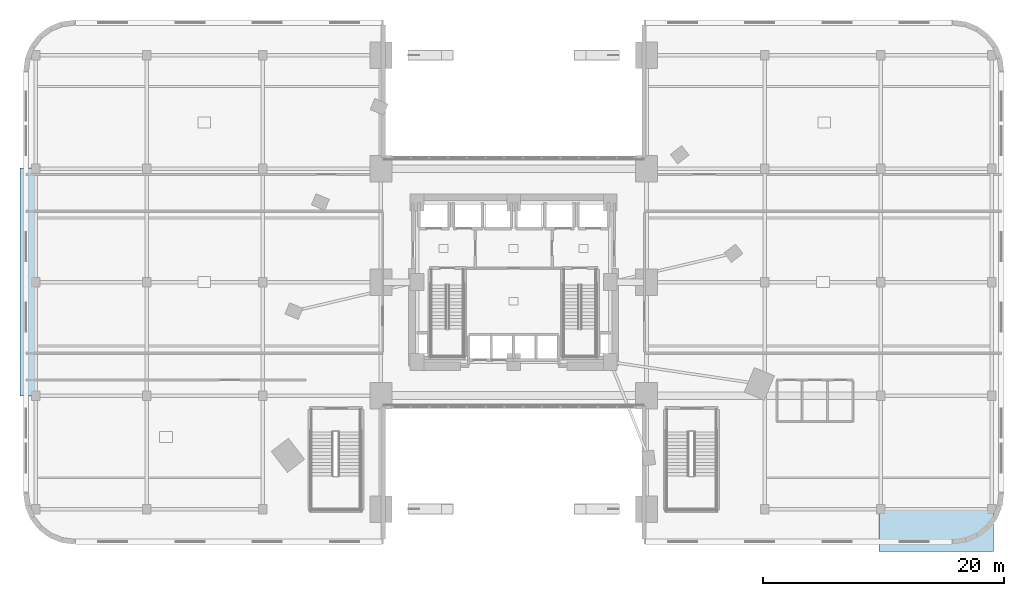
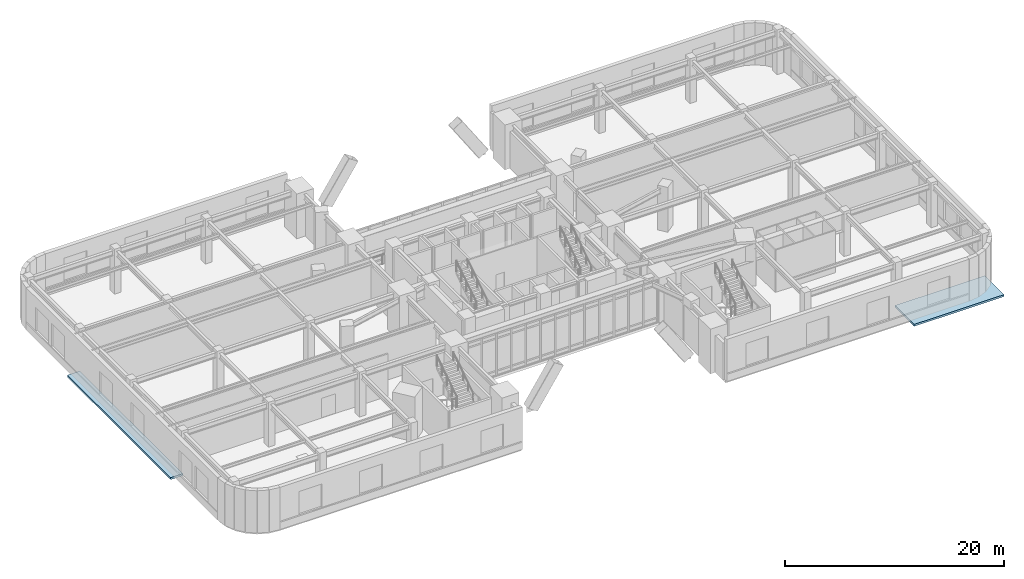
# One storey, part 23 of 26: 2 roofs.
"""IFC4 building model written with IfcOpenShell, lengths in metres."""

from ifc_helpers import new_model, si_unit, direction, frame, origin, place, context, subcontext, project, spatial, polyline, outline, extrude, material, layer, layer_set, type_object, element, save


model = new_model("IFC4")

# Units and contexts
model_context = context("Model", 3, precision=1e-05, world=origin(), true_north=direction((0.0, 1.0)))
body_context = subcontext(model_context, "Body", "Model", "MODEL_VIEW")
ifc_project = project(units=[si_unit("LENGTHUNIT", "METRE"), si_unit("AREAUNIT", "SQUARE_METRE"), si_unit("VOLUMEUNIT", "CUBIC_METRE"), si_unit("PLANEANGLEUNIT", "RADIAN"), si_unit("MASSUNIT", "GRAM", prefix="KILO")], contexts=[model_context])

# Site, building, storey
site_placement = place(None, origin())
site = spatial("IfcSite", under=ifc_project, at=site_placement, CompositionType="ELEMENT")
building_placement = place(site_placement, origin())
building = spatial("IfcBuilding", under=site, at=building_placement, Name="Ndelora Gate Hotel", CompositionType="ELEMENT")
storey_placement = place(building_placement, frame((0.0, 0.0, 6.0)))
storey = spatial("IfcBuildingStorey", under=building, at=storey_placement, Name="L01", CompositionType="ELEMENT", Elevation=6.0)

# Roofs
ifc_material = material(Name="Architectural Bronze Clad Steel Canopy", Category="steel")
ifc_layer = layer(ifc_material, 0.219970703125)
ifc_layer_set = layer_set([ifc_layer], Name="Architectural Bronze Clad Steel Canopy")
roof_type = type_object("IfcRoofType", Name="RF-CANOPY-200", PredefinedType="PAVILION_ROOF", material=ifc_layer_set)
roof_1_placement = place(storey_placement, frame((0.0, 0.0, -0.280029296875)))
element("IfcRoof", 1, at=roof_1_placement, inside=storey, type_object=roof_type, Name="L01 West Porte-Cochere Cantilevered Canopy", PredefinedType="PAVILION_ROOF", context=body_context, shape_type="SweptSolid", body=[
    extrude(outline(polyline([(-40.89990234375, -9.449951171875), (-39.60009765625, -9.449951171875), (-39.60009765625, 9.449951171875), (-40.89990234375, 9.449951171875), (-40.89990234375, -9.449951171875)])), origin(), (0.0, 0.0, 1.0), 0.219970703125),
])
roof_2_placement = place(storey_placement, frame((0.0, 0.0, -0.280029296875)))
element("IfcRoof", 2, at=roof_2_placement, inside=storey, type_object=roof_type, Name="L01 South-East Brasserie Entrance Canopy", PredefinedType="PAVILION_ROOF", context=body_context, shape_type="SweptSolid", body=[
    extrude(outline(polyline([(30.25, -22.300048828125), (39.75, -22.300048828125), (39.75, -18.800048828125), (30.25, -18.800048828125), (30.25, -22.300048828125)])), origin(), (0.0, 0.0, 1.0), 0.219970703125),
])

save(model, "model.ifc")
